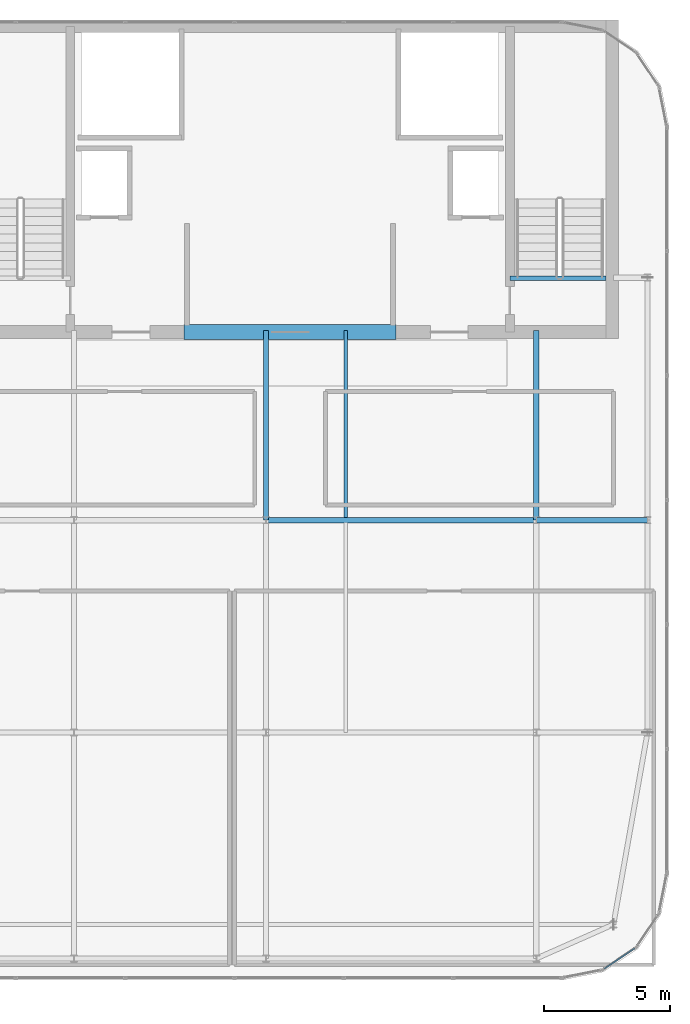
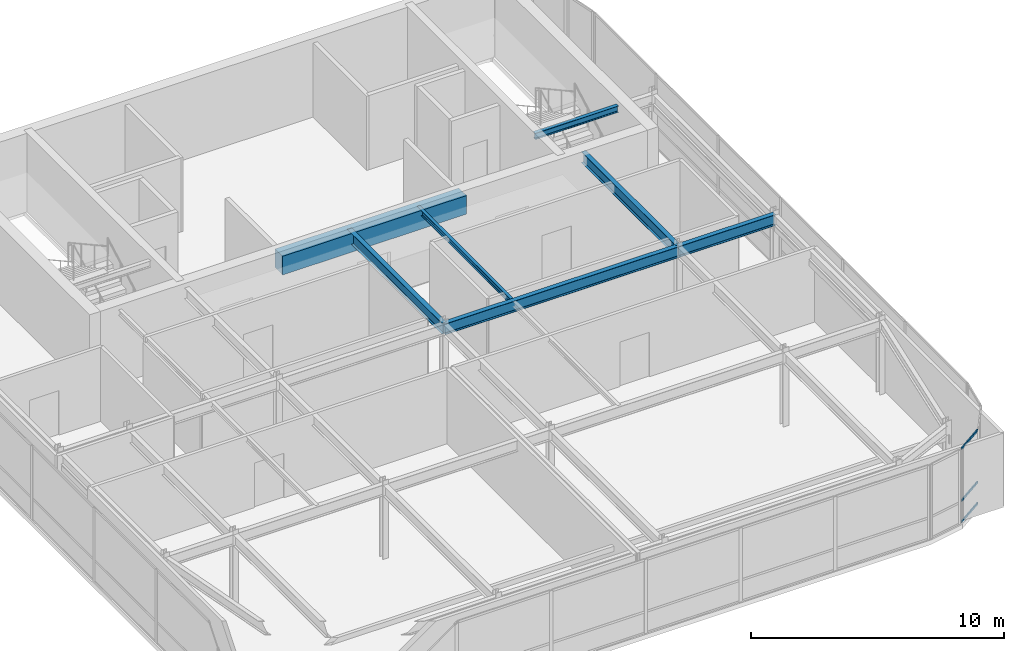
# One storey, part 20 of 36: 7 beams, 3 members, 1 element without a shape of its own.
"""IFC4 building model written with IfcOpenShell, lengths in metres."""

from ifc_helpers import new_model, si_unit, direction, frame, origin, origin_2d, place, context, subcontext, project, spatial, rectangle, hollow_rectangle, i_section, extrude, source, transform, mapped, material, layer, layer_set, material_profile, profile_set, type_object, type_shapes, element, aggregate, save


model = new_model("IFC4")

# Units and contexts
model_context = context("Model", 3, precision=1e-05, world=origin(), true_north=direction((0.0, 1.0)))
body_context = subcontext(model_context, "Body", "Model", "MODEL_VIEW")
ifc_project = project(units=[si_unit("LENGTHUNIT", "METRE"), si_unit("AREAUNIT", "SQUARE_METRE"), si_unit("VOLUMEUNIT", "CUBIC_METRE"), si_unit("PLANEANGLEUNIT", "RADIAN"), si_unit("MASSUNIT", "GRAM", prefix="KILO")], contexts=[model_context])

# Site, building, storey
site_placement = place(None, origin())
site = spatial("IfcSite", under=ifc_project, at=site_placement, CompositionType="ELEMENT")
building_placement = place(site_placement, origin())
building = spatial("IfcBuilding", under=site, at=building_placement, Name="Tolvann Quenvar Hotel", CompositionType="ELEMENT")
storey_placement = place(building_placement, frame((0.0, 0.0, 294.75)))
storey = spatial("IfcBuildingStorey", under=building, at=storey_placement, Name="L78", CompositionType="ELEMENT", Elevation=294.75)

# Beams
ifc_material_1 = material(Name="Concrete N50 (50 MPa)", Category="concrete")
ifc_material_profile_1 = material_profile(ifc_material_1, rectangle(XDim=0.60009765625, YDim=0.89990234375, at=origin_2d()), Name="RC600x900")
ifc_profile_set_1 = profile_set([ifc_material_profile_1], Name="Concrete N50 (50 MPa)")
beam_type_1 = type_object("IfcBeamType", Name="BM_LINT_RC600x900", PredefinedType="LINTEL", material=ifc_profile_set_1)
shared_shape_1 = source(origin(), body_context, "Body", "SweptSolid", [
    extrude(rectangle(XDim=0.60009765625, YDim=0.89990234375, at=origin_2d()), origin(), (0.0, 0.0, 1.0), 8.39990234375),
])
type_shapes(beam_type_1, [shared_shape_1])
beam_1_placement = place(storey_placement, frame((18.800048828125, 31.85009765625, 3.1298828125), z_axis=(1.0, 0.0, 0.0), x_axis=(0.0, 1.0, 0.0)))
element("IfcBeam", 1, at=beam_1_placement, inside=storey, type_object=beam_type_1, Name="Core Coupling Lintel Beam (L78)", PredefinedType="LINTEL", context=body_context, shape_type="MappedRepresentation", body=[
    mapped(shared_shape_1, transform((0.0, 0.0, 0.0), x_axis=(1.0, 0.0, 0.0), y_axis=(0.0, 1.0, 0.0), z_axis=(0.0, 0.0, 1.0), scale=1.0)),
])
ifc_material_2 = material(Name="Steel Grade 350", Category="steel")
ifc_material_profile_2 = material_profile(ifc_material_2, i_section(OverallWidth=0.166015625, OverallDepth=0.306884765625, WebThickness=0.006591796875, FlangeThickness=0.01171875, FilletRadius=0.011474609375, at=origin_2d()), Name="310UB46")
ifc_profile_set_2 = profile_set([ifc_material_profile_2], Name="Steel Grade 350")
beam_type_2 = type_object("IfcBeamType", Name="BM_JOIST_310UB46", PredefinedType="JOIST", material=ifc_profile_set_2)
shared_shape_2 = source(origin(), body_context, "Body", "SweptSolid", [
    extrude(i_section(OverallWidth=0.166015625, OverallDepth=0.306884765625, WebThickness=0.006591796875, FlangeThickness=0.01171875, FilletRadius=0.011474609375, at=origin_2d()), origin(), (0.0, 0.0, 1.0), 3.800048828125),
])
type_shapes(beam_type_2, [shared_shape_2])
beam_2_placement = place(storey_placement, frame((31.699951171875, 33.97998046875, 3.426513671875), z_axis=(1.0, 0.0, 0.0), x_axis=(0.0, 1.0, 0.0)))
element("IfcBeam", 2, at=beam_2_placement, inside=storey, type_object=beam_type_2, Name="BM-HDR-STC2-L79", PredefinedType="JOIST", context=body_context, shape_type="MappedRepresentation", body=[
    mapped(shared_shape_2, transform((0.0, 0.0, 0.0), x_axis=(1.0, 0.0, 0.0), y_axis=(0.0, 1.0, 0.0), z_axis=(0.0, 0.0, 1.0), scale=1.0)),
])
ifc_material_profile_3 = material_profile(ifc_material_2, i_section(OverallWidth=0.208984375, OverallDepth=0.532958984375, WebThickness=0.01025390625, FlangeThickness=0.015625, FilletRadius=0.013916015625, at=origin_2d()), Name="530UB92")
ifc_profile_set_3 = profile_set([ifc_material_profile_3], Name="Steel Grade 350")
beam_type_3 = type_object("IfcBeamType", Name="BM_GIRD_530UB92", PredefinedType="BEAM", material=ifc_profile_set_3)
shared_shape_3 = source(origin(), body_context, "Body", "SweptSolid", [
    extrude(i_section(OverallWidth=0.208984375, OverallDepth=0.532958984375, WebThickness=0.01025390625, FlangeThickness=0.015625, FilletRadius=0.013916015625, at=origin_2d()), origin(), (0.0, 0.0, 1.0), 7.5),
])
for number, where, z_axis, x_axis, name in (
    (3, (22.050048828125, 24.39990234375, 3.3134765625), (0.0, 1.0, 0.0), (-1.0, 0.0, 0.0), "BM-L78-CORE-E5"),
    (4, (32.75, 24.39990234375, 3.3134765625), (0.0, 1.0, 0.0), (-1.0, 0.0, 0.0), "BM-L78-CORE-FP5"),
):
    element("IfcBeam", number, at=place(storey_placement, frame(where, z_axis=z_axis, x_axis=x_axis)), inside=storey, type_object=beam_type_3, Name=name, PredefinedType="BEAM", context=body_context, shape_type="MappedRepresentation", body=[
        mapped(shared_shape_3, transform((0.0, 0.0, 0.0), x_axis=(1.0, 0.0, 0.0), y_axis=(0.0, 1.0, 0.0), z_axis=(0.0, 0.0, 1.0), scale=1.0)),
    ])
shared_shape_4 = source(origin(), body_context, "Body", "SweptSolid", [
    extrude(i_section(OverallWidth=0.208984375, OverallDepth=0.532958984375, WebThickness=0.01025390625, FlangeThickness=0.015625, FilletRadius=0.013916015625, at=origin_2d()), origin(), (0.0, 0.0, 1.0), 10.699951171875),
])
beam_3_placement = place(storey_placement, frame((22.050048828125, 24.39990234375, 3.3134765625), z_axis=(1.0, 0.0, 0.0), x_axis=(0.0, 1.0, 0.0)))
element("IfcBeam", 5, at=beam_3_placement, inside=storey, type_object=beam_type_3, Name="BM-L78-EW-5-E5-FP5", PredefinedType="BEAM", context=body_context, shape_type="MappedRepresentation", body=[
    mapped(shared_shape_4, transform((0.0, 0.0, 0.0), x_axis=(1.0, 0.0, 0.0), y_axis=(0.0, 1.0, 0.0), z_axis=(0.0, 0.0, 1.0), scale=1.0)),
])
shared_shape_5 = source(origin(), body_context, "Body", "SweptSolid", [
    extrude(i_section(OverallWidth=0.208984375, OverallDepth=0.532958984375, WebThickness=0.01025390625, FlangeThickness=0.015625, FilletRadius=0.013916015625, at=origin_2d()), origin(), (0.0, 0.0, 1.0), 4.39990234375),
])
type_shapes(beam_type_3, [shared_shape_3, shared_shape_4, shared_shape_5])
beam_4_placement = place(storey_placement, frame((32.75, 24.39990234375, 3.3134765625), z_axis=(1.0, 0.0, 0.0), x_axis=(0.0, 1.0, 0.0)))
element("IfcBeam", 6, at=beam_4_placement, inside=storey, type_object=beam_type_3, Name="BM-L78-EW-5-FP5-G5", PredefinedType="BEAM", context=body_context, shape_type="MappedRepresentation", body=[
    mapped(shared_shape_5, transform((0.0, 0.0, 0.0), x_axis=(1.0, 0.0, 0.0), y_axis=(0.0, 1.0, 0.0), z_axis=(0.0, 0.0, 1.0), scale=1.0)),
])
ifc_material_profile_4 = material_profile(ifc_material_2, i_section(OverallWidth=0.14599609375, OverallDepth=0.256103515625, WebThickness=0.00634765625, FlangeThickness=0.010986328125, FilletRadius=0.0087890625, at=origin_2d()), Name="250UB37")
ifc_profile_set_4 = profile_set([ifc_material_profile_4], Name="Steel Grade 350")
beam_type_4 = type_object("IfcBeamType", Name="BM_JOIST_250UB37", PredefinedType="JOIST", material=ifc_profile_set_4)
shared_shape_6 = source(origin(), body_context, "Body", "SweptSolid", [
    extrude(i_section(OverallWidth=0.14599609375, OverallDepth=0.256103515625, WebThickness=0.00634765625, FlangeThickness=0.010986328125, FilletRadius=0.0087890625, at=origin_2d()), origin(), (0.0, 0.0, 1.0), 7.4013671875),
])
type_shapes(beam_type_4, [shared_shape_6])
beam_5_placement = place(storey_placement, frame((25.199951171875, 24.49853515625, 3.451904296875), z_axis=(0.0, 1.0, 0.0), x_axis=(-1.0, 0.0, 0.0)))
element("IfcBeam", 7, at=beam_5_placement, inside=storey, type_object=beam_type_4, Name="BJ-L78-252-244", PredefinedType="JOIST", context=body_context, shape_type="MappedRepresentation", body=[
    mapped(shared_shape_6, transform((0.0, 0.0, 0.0), x_axis=(1.0, 0.0, 0.0), y_axis=(0.0, 1.0, 0.0), z_axis=(0.0, 0.0, 1.0), scale=1.0)),
])

# Curtain wall, members
ifc_material_3 = material(Name="Thermally broken anodised architectural aluminium 6063-T6 and laminated low-E glass", Category="aluminium")
ifc_layer = layer(ifc_material_3, 0.179931640625)
ifc_layer_set = layer_set([ifc_layer], Name="Thermally broken anodised architectural aluminium 6063-T6 and laminated low-E glass")
curtain_wall_type = type_object("IfcCurtainWallType", Name="CW_SYS_LANT_06", PredefinedType="USERDEFINED", material=ifc_layer_set)
curtain_wall_placement = place(storey_placement, origin())
curtain_wall = element("IfcCurtainWall", 8, at=curtain_wall_placement, inside=storey, type_object=curtain_wall_type, Name="Curtain Wall CW-LANT-06 (CWR-L78-E06)", ObjectType="UNITISED CURTAIN WALL", PredefinedType="USERDEFINED")
ifc_material_4 = material(Name="Anodised architectural aluminium 6063-T6 framing", Category="aluminium")
ifc_material_profile_5 = material_profile(ifc_material_4, hollow_rectangle(XDim=0.050048828125, YDim=0.10009765625, WallThickness=0.0029296875, at=origin_2d()), Name="100x50x3RHS")
ifc_profile_set_5 = profile_set([ifc_material_profile_5], Name="Anodised architectural aluminium 6063-T6 framing")
member_type = type_object("IfcMemberType", Name="CW_TRAN_100x50", PredefinedType="USERDEFINED", material=ifc_profile_set_5)
shared_shape_7 = source(origin(), body_context, "Body", "SweptSolid", [
    extrude(hollow_rectangle(XDim=0.050048828125, YDim=0.10009765625, WallThickness=0.0029296875, at=origin_2d()), origin(), (0.0, 0.0, 1.0), 1.439208984375),
])
type_shapes(member_type, [shared_shape_7])
member_1_placement = place(storey_placement, frame((35.440185546875, 6.64990234375, 0.02490234375), z_axis=(0.831449510818, 0.555600315839, 0.0), x_axis=(-0.555600315839, 0.831449510818, 0.0)))
member_1 = element("IfcMember", 9, at=member_1_placement, type_object=member_type, Name="CW-LANT-06 transom 1.1", ObjectType="TRANSOM", PredefinedType="USERDEFINED", context=body_context, shape_type="MappedRepresentation", body=[
    mapped(shared_shape_7, transform((0.0, 0.0, 0.0), x_axis=(1.0, 0.0, 0.0), y_axis=(0.0, 1.0, 0.0), z_axis=(0.0, 0.0, 1.0), scale=1.0)),
])
member_2_placement = place(storey_placement, frame((35.440185546875, 6.64990234375, 1.050048828125), z_axis=(0.831449510818, 0.555600315839, 0.0), x_axis=(-0.555600315839, 0.831449510818, 0.0)))
member_2 = element("IfcMember", 10, at=member_2_placement, type_object=member_type, Name="CW-LANT-06 transom 1.2", ObjectType="TRANSOM", PredefinedType="USERDEFINED", context=body_context, shape_type="MappedRepresentation", body=[
    mapped(shared_shape_7, transform((0.0, 0.0, 0.0), x_axis=(1.0, 0.0, 0.0), y_axis=(0.0, 1.0, 0.0), z_axis=(0.0, 0.0, 1.0), scale=1.0)),
])
member_3_placement = place(storey_placement, frame((35.440185546875, 6.64990234375, 3.554931640625), z_axis=(0.831449510818, 0.555600315839, 0.0), x_axis=(-0.555600315839, 0.831449510818, 0.0)))
member_3 = element("IfcMember", 11, at=member_3_placement, type_object=member_type, Name="CW-LANT-06 transom 1.3", ObjectType="TRANSOM", PredefinedType="USERDEFINED", context=body_context, shape_type="MappedRepresentation", body=[
    mapped(shared_shape_7, transform((0.0, 0.0, 0.0), x_axis=(1.0, 0.0, 0.0), y_axis=(0.0, 1.0, 0.0), z_axis=(0.0, 0.0, 1.0), scale=1.0)),
])
aggregate(curtain_wall, [member_1, member_2, member_3])

save(model, "model.ifc")
